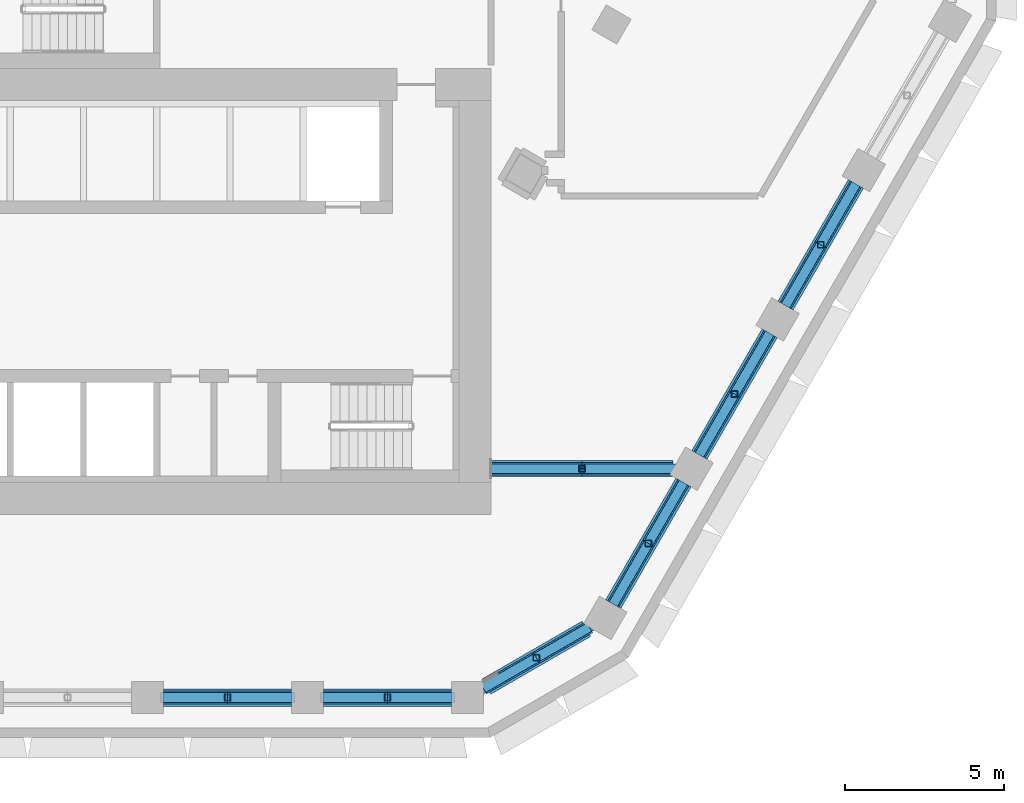
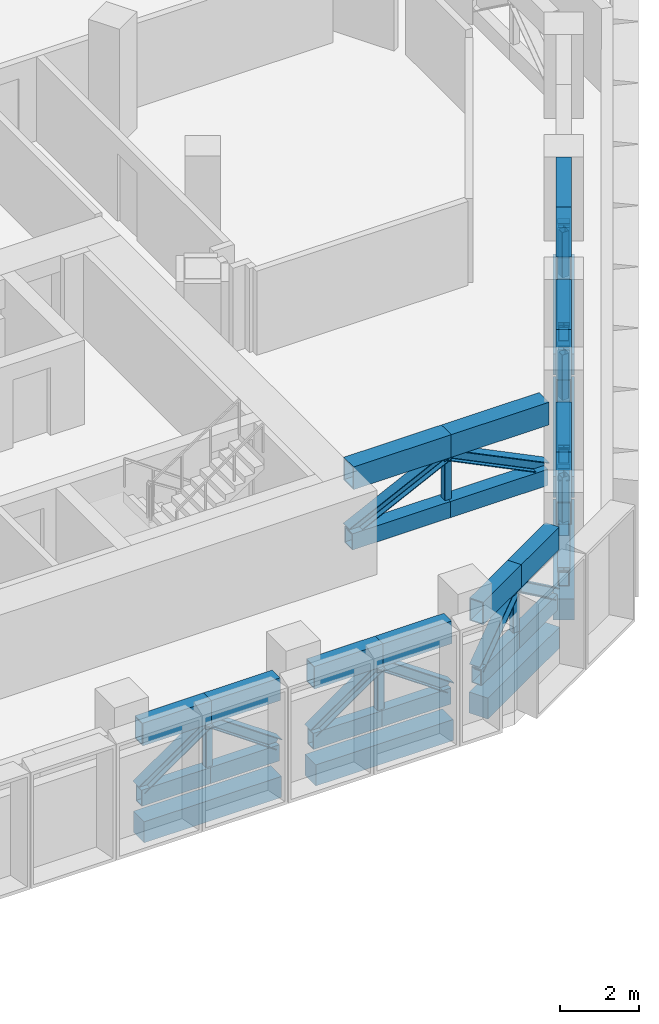
# One storey, part 5 of 23: 49 members, 6 beams.
"""IFC4 building model written with IfcOpenShell, lengths in metres."""

from ifc_helpers import new_model, si_unit, direction, frame, origin, origin_2d, place, context, subcontext, project, spatial, rectangle, hollow_rectangle, i_section, extrude, material, material_profile, profile_set, type_object, element, save


model = new_model("IFC4")

# Units and contexts
model_context = context("Model", 3, precision=1e-05, world=origin(), true_north=direction((0.0, 1.0)))
body_context = subcontext(model_context, "Body", "Model", "MODEL_VIEW")
ifc_project = project(units=[si_unit("LENGTHUNIT", "METRE"), si_unit("AREAUNIT", "SQUARE_METRE"), si_unit("VOLUMEUNIT", "CUBIC_METRE"), si_unit("PLANEANGLEUNIT", "RADIAN"), si_unit("MASSUNIT", "GRAM", prefix="KILO")], contexts=[model_context])

# Site, building, storey
site_placement = place(None, origin())
site = spatial("IfcSite", under=ifc_project, at=site_placement, CompositionType="ELEMENT")
building_placement = place(site_placement, origin())
building = spatial("IfcBuilding", under=site, at=building_placement, Name="Beryl Residences", CompositionType="ELEMENT")
storey_placement = place(building_placement, frame((0.0, 0.0, 108.0)))
storey = spatial("IfcBuildingStorey", under=building, at=storey_placement, Name="L33", CompositionType="ELEMENT", Elevation=108.0)

# Members
ifc_material_1 = material(Name="Steel S355", Category="steel")
ifc_material_profile_1 = material_profile(ifc_material_1, hollow_rectangle(XDim=0.300048828125, YDim=0.5, WallThickness=0.02490234375, at=origin_2d()))
ifc_profile_set_1 = profile_set([ifc_material_profile_1], Name="Steel S355")
member_type_1 = type_object("IfcMemberType", Name="BB2 belt truss bottom chord WB 500x300x25", PredefinedType="CHORD", material=ifc_profile_set_1)
member_1_placement = place(storey_placement, frame((3.011962890625, -24.75, 0.25), z_axis=(1.0, 0.0, 0.0), x_axis=(0.0, 1.0, 0.0)))
element("IfcMember", 1, at=member_1_placement, inside=storey, type_object=member_type_1, Name="Outrigger truss BB2-S-3a L33", PredefinedType="CHORD", context=body_context, shape_type="SweptSolid", body=[
    extrude(hollow_rectangle(XDim=0.300048828125, YDim=0.5, WallThickness=0.02490234375, at=origin_2d()), origin(), (0.0, 0.0, 1.0), 2.011962890625),
])
for number, where, z_axis, x_axis, name in (
    (2, (5.02392578125, -24.75, 0.25), (1.0, 0.0, 0.0), (0.0, 1.0, 0.0), "Outrigger truss BB2-S-3b L33"),
    (3, (8.034912109375, -24.75, 0.25), (1.0, 0.0, 0.0), (0.0, 1.0, 0.0), "Outrigger truss BB2-S-4a L33"),
):
    element("IfcMember", number, at=place(storey_placement, frame(where, z_axis=z_axis, x_axis=x_axis)), inside=storey, type_object=member_type_1, Name=name, PredefinedType="CHORD", context=body_context, shape_type="SweptSolid", body=[
        extrude(hollow_rectangle(XDim=0.300048828125, YDim=0.5, WallThickness=0.02490234375, at=origin_2d()), origin(), (0.0, 0.0, 1.0), 2.010986328125),
    ])
member_2_placement = place(storey_placement, frame((10.0458984375, -24.75, 0.25), z_axis=(1.0, 0.0, 0.0), x_axis=(0.0, 1.0, 0.0)))
element("IfcMember", 4, at=member_2_placement, inside=storey, type_object=member_type_1, Name="Outrigger truss BB2-S-4b L33", PredefinedType="CHORD", context=body_context, shape_type="SweptSolid", body=[
    extrude(hollow_rectangle(XDim=0.300048828125, YDim=0.5, WallThickness=0.02490234375, at=origin_2d()), origin(), (0.0, 0.0, 1.0), 2.01220703125),
])
for number, where, z_axis, x_axis, name in (
    (5, (13.05810546875, -24.4609375, 0.25), (0.866297659914, 0.499528141778, 0.0), (-0.499528141778, 0.866297659914, 0.0), "Outrigger truss BB2-S-5a L33"),
    (6, (14.722900390625, -23.5009765625, 0.25), (0.865982457891, 0.500074377092, 0.0), (-0.500074377092, 0.865982457891, 0.0), "Outrigger truss BB2-S-5b L33"),
):
    element("IfcMember", number, at=place(storey_placement, frame(where, z_axis=z_axis, x_axis=x_axis)), inside=storey, type_object=member_type_1, Name=name, PredefinedType="CHORD", context=body_context, shape_type="SweptSolid", body=[
        extrude(hollow_rectangle(XDim=0.300048828125, YDim=0.5, WallThickness=0.02490234375, at=origin_2d()), origin(), (0.0, 0.0, 1.0), 1.921630859375),
    ])
member_3_placement = place(storey_placement, frame((17.136962890625, -21.818115234375, 0.25), z_axis=(0.500207565094, 0.865905532852, 0.0), x_axis=(-0.865905532852, 0.500207565094, 0.0)))
element("IfcMember", 7, at=member_3_placement, inside=storey, type_object=member_type_1, Name="Outrigger truss BB2-SE-0a L33", PredefinedType="CHORD", context=body_context, shape_type="SweptSolid", body=[
    extrude(hollow_rectangle(XDim=0.300048828125, YDim=0.5, WallThickness=0.02490234375, at=origin_2d()), origin(), (0.0, 0.0, 1.0), 2.20703125),
])
for number, where, z_axis, x_axis, name in (
    (8, (18.240966796875, -19.906982421875, 0.25), (0.49992360228, 0.866069507536, 0.0), (-0.866069507536, 0.49992360228, 0.0), "Outrigger truss BB2-SE-0b L33"),
    (9, (19.843994140625, -17.1298828125, 0.25), (0.49992360228, 0.866069507536, 0.0), (-0.866069507536, 0.49992360228, 0.0), "Outrigger truss BB2-SE-1a L33"),
    (10, (20.947021484375, -15.218994140625, 0.25), (0.49992360228, 0.866069507536, 0.0), (-0.866069507536, 0.49992360228, 0.0), "Outrigger truss BB2-SE-1b L33"),
):
    element("IfcMember", number, at=place(storey_placement, frame(where, z_axis=z_axis, x_axis=x_axis)), inside=storey, type_object=member_type_1, Name=name, PredefinedType="CHORD", context=body_context, shape_type="SweptSolid", body=[
        extrude(hollow_rectangle(XDim=0.300048828125, YDim=0.5, WallThickness=0.02490234375, at=origin_2d()), origin(), (0.0, 0.0, 1.0), 2.206298828125),
    ])
member_4_placement = place(storey_placement, frame((22.550048828125, -12.44189453125, 0.25), z_axis=(0.500255480495, 0.865877851798, 0.0), x_axis=(-0.865877851798, 0.500255480495, 0.0)))
element("IfcMember", 11, at=member_4_placement, inside=storey, type_object=member_type_1, Name="Outrigger truss BB2-SE-2a L33", PredefinedType="CHORD", context=body_context, shape_type="SweptSolid", body=[
    extrude(hollow_rectangle(XDim=0.300048828125, YDim=0.5, WallThickness=0.02490234375, at=origin_2d()), origin(), (0.0, 0.0, 1.0), 2.206787109375),
])
member_5_placement = place(storey_placement, frame((23.654052734375, -10.531005859375, 0.25), z_axis=(0.49992360228, 0.866069507536, 0.0), x_axis=(-0.866069507536, 0.49992360228, 0.0)))
element("IfcMember", 12, at=member_5_placement, inside=storey, type_object=member_type_1, Name="Outrigger truss BB2-SE-2b L33", PredefinedType="CHORD", context=body_context, shape_type="SweptSolid", body=[
    extrude(hollow_rectangle(XDim=0.300048828125, YDim=0.5, WallThickness=0.02490234375, at=origin_2d()), origin(), (0.0, 0.0, 1.0), 2.206298828125),
])
ifc_material_2 = material(Name="Steel S355", Category="steel")
ifc_material_profile_2 = material_profile(ifc_material_2, i_section(OverallWidth=0.30908203125, OverallDepth=0.320068359375, WebThickness=0.013916015625, FlangeThickness=0.021728515625, FilletRadius=0.0166015625, at=origin_2d()))
ifc_profile_set_2 = profile_set([ifc_material_profile_2], Name="Steel S355")
member_type_2 = type_object("IfcMemberType", Name="BD2 belt truss diagonal 310UC137", PredefinedType="BRACE", material=ifc_profile_set_2)
member_6_placement = place(storey_placement, frame((3.011962890625, -24.75, 0.5), z_axis=(0.820852413484, 0.0, 0.571140363902), x_axis=(0.0, 1.0, 0.0)))
element("IfcMember", 13, at=member_6_placement, inside=storey, type_object=member_type_2, Name="Outrigger truss BD2-S-3a L33", PredefinedType="BRACE", context=body_context, shape_type="SweptSolid", body=[
    extrude(i_section(OverallWidth=0.30908203125, OverallDepth=0.320068359375, WebThickness=0.013916015625, FlangeThickness=0.021728515625, FilletRadius=0.0166015625, at=origin_2d()), origin(), (0.0, 0.0, 1.0), 2.451171875),
])
for number, where, z_axis, x_axis, name in (
    (14, (7.034912109375, -24.75, 0.5), (-0.820722383369, 0.0, 0.57132719998), (0.0, -1.0, 0.0), "Outrigger truss BD2-S-3b L33"),
    (15, (8.034912109375, -24.75, 0.5), (0.820722383369, 0.0, 0.57132719998), (0.0, 1.0, 0.0), "Outrigger truss BD2-S-4a L33"),
):
    element("IfcMember", number, at=place(storey_placement, frame(where, z_axis=z_axis, x_axis=x_axis)), inside=storey, type_object=member_type_2, Name=name, PredefinedType="BRACE", context=body_context, shape_type="SweptSolid", body=[
        extrude(i_section(OverallWidth=0.30908203125, OverallDepth=0.320068359375, WebThickness=0.013916015625, FlangeThickness=0.021728515625, FilletRadius=0.0166015625, at=origin_2d()), origin(), (0.0, 0.0, 1.0), 2.4501953125),
    ])
member_7_placement = place(storey_placement, frame((12.05810546875, -24.75, 0.5), z_axis=(-0.820884901082, 0.0, 0.571093669353), x_axis=(0.0, -1.0, 0.0)))
element("IfcMember", 16, at=member_7_placement, inside=storey, type_object=member_type_2, Name="Outrigger truss BD2-S-4b L33", PredefinedType="BRACE", context=body_context, shape_type="SweptSolid", body=[
    extrude(i_section(OverallWidth=0.30908203125, OverallDepth=0.320068359375, WebThickness=0.013916015625, FlangeThickness=0.021728515625, FilletRadius=0.0166015625, at=origin_2d()), origin(), (0.0, 0.0, 1.0), 2.451171875),
])
for number, where, z_axis, x_axis, name in (
    (17, (13.05810546875, -24.4609375, 0.5), (0.700211395298, 0.403758792537, 0.588797791558), (-0.499528141778, 0.866297659914, 0.0), "Outrigger truss BD2-S-5a L33"),
    (18, (16.386962890625, -22.5400390625, 0.5), (-0.699938149511, -0.404189635633, 0.588827075894), (0.500074377092, -0.865982457891, 0.0), "Outrigger truss BD2-S-5b L33"),
):
    element("IfcMember", number, at=place(storey_placement, frame(where, z_axis=z_axis, x_axis=x_axis)), inside=storey, type_object=member_type_2, Name=name, PredefinedType="BRACE", context=body_context, shape_type="SweptSolid", body=[
        extrude(i_section(OverallWidth=0.30908203125, OverallDepth=0.320068359375, WebThickness=0.013916015625, FlangeThickness=0.021728515625, FilletRadius=0.0166015625, at=origin_2d()), origin(), (0.0, 0.0, 1.0), 2.37744140625),
    ])
member_8_placement = place(storey_placement, frame((17.136962890625, -21.818115234375, 0.5), z_axis=(0.422405056846, 0.731222199246, 0.535619326837), x_axis=(-0.865905532852, 0.500207565094, 0.0)))
element("IfcMember", 19, at=member_8_placement, inside=storey, type_object=member_type_2, Name="Outrigger truss BD2-SE-0a L33", PredefinedType="BRACE", context=body_context, shape_type="SweptSolid", body=[
    extrude(i_section(OverallWidth=0.30908203125, OverallDepth=0.320068359375, WebThickness=0.013916015625, FlangeThickness=0.021728515625, FilletRadius=0.0166015625, at=origin_2d()), origin(), (0.0, 0.0, 1.0), 2.613525390625),
])
for number, where, z_axis, x_axis, name in (
    (20, (19.343994140625, -17.99609375, 0.5), (-0.422126848929, -0.731294122747, 0.535740449704), (0.866069507536, -0.49992360228, 0.0), "Outrigger truss BD2-SE-0b L33"),
    (21, (19.843994140625, -17.1298828125, 0.5), (0.422126848929, 0.731294122747, 0.535740449704), (-0.866069507536, 0.49992360228, 0.0), "Outrigger truss BD2-SE-1a L33"),
    (22, (22.050048828125, -13.30810546875, 0.5), (-0.422126848929, -0.731294122747, 0.535740449704), (0.866069507536, -0.49992360228, 0.0), "Outrigger truss BD2-SE-1b L33"),
):
    element("IfcMember", number, at=place(storey_placement, frame(where, z_axis=z_axis, x_axis=x_axis)), inside=storey, type_object=member_type_2, Name=name, PredefinedType="BRACE", context=body_context, shape_type="SweptSolid", body=[
        extrude(i_section(OverallWidth=0.30908203125, OverallDepth=0.320068359375, WebThickness=0.013916015625, FlangeThickness=0.021728515625, FilletRadius=0.0166015625, at=origin_2d()), origin(), (0.0, 0.0, 1.0), 2.613037109375),
    ])
member_9_placement = place(storey_placement, frame((22.550048828125, -12.44189453125, 0.5), z_axis=(0.422433910032, 0.731178729284, 0.535655913341), x_axis=(-0.865877851798, 0.500255480495, 0.0)))
element("IfcMember", 23, at=member_9_placement, inside=storey, type_object=member_type_2, Name="Outrigger truss BD2-SE-2a L33", PredefinedType="BRACE", context=body_context, shape_type="SweptSolid", body=[
    extrude(i_section(OverallWidth=0.30908203125, OverallDepth=0.320068359375, WebThickness=0.013916015625, FlangeThickness=0.021728515625, FilletRadius=0.0166015625, at=origin_2d()), origin(), (0.0, 0.0, 1.0), 2.613525390625),
])
member_10_placement = place(storey_placement, frame((24.757080078125, -8.6201171875, 0.5), z_axis=(-0.422126848929, -0.731294122747, 0.535740449704), x_axis=(0.866069507536, -0.49992360228, 0.0)))
element("IfcMember", 24, at=member_10_placement, inside=storey, type_object=member_type_2, Name="Outrigger truss BD2-SE-2b L33", PredefinedType="BRACE", context=body_context, shape_type="SweptSolid", body=[
    extrude(i_section(OverallWidth=0.30908203125, OverallDepth=0.320068359375, WebThickness=0.013916015625, FlangeThickness=0.021728515625, FilletRadius=0.0166015625, at=origin_2d()), origin(), (0.0, 0.0, 1.0), 2.613037109375),
])
member_11_placement = place(storey_placement, frame((19.01708984375, -17.56298828125, 0.5), z_axis=(-0.898123289399, 0.0, 0.439743740194), x_axis=(0.0, -1.0, 0.0)))
element("IfcMember", 25, at=member_11_placement, inside=storey, type_object=member_type_2, Name="Outrigger truss BD2-OR-SE-1a L33", PredefinedType="BRACE", context=body_context, shape_type="SweptSolid", body=[
    extrude(i_section(OverallWidth=0.30908203125, OverallDepth=0.320068359375, WebThickness=0.013916015625, FlangeThickness=0.021728515625, FilletRadius=0.0166015625, at=origin_2d()), origin(), (0.0, 0.0, 1.0), 3.183349609375),
])
member_12_placement = place(storey_placement, frame((13.300048828125, -17.56298828125, 0.5), z_axis=(0.898049101051, 0.0, 0.439895228551), x_axis=(0.0, 1.0, 0.0)))
element("IfcMember", 26, at=member_12_placement, inside=storey, type_object=member_type_2, Name="Outrigger truss BD2-OR-SE-1b L33", PredefinedType="BRACE", context=body_context, shape_type="SweptSolid", body=[
    extrude(i_section(OverallWidth=0.30908203125, OverallDepth=0.320068359375, WebThickness=0.013916015625, FlangeThickness=0.021728515625, FilletRadius=0.0166015625, at=origin_2d()), origin(), (0.0, 0.0, 1.0), 3.182373046875),
])
ifc_material_3 = material(Name="Steel S355", Category="steel")
ifc_material_profile_3 = material_profile(ifc_material_3, hollow_rectangle(XDim=0.199951171875, YDim=0.199951171875, WallThickness=0.009033203125, InnerFilletRadius=0.009033203125, OuterFilletRadius=0.01806640625, at=origin_2d()))
ifc_profile_set_3 = profile_set([ifc_material_profile_3], Name="Steel S355")
member_type_3 = type_object("IfcMemberType", Name="BQ2 belt truss post SHS 200x200x9", PredefinedType="POST", material=ifc_profile_set_3)
for number, where, z_axis, x_axis, name in (
    (27, (5.02392578125, -24.75, 0.5), (0.0, 0.0, 1.0), (1.0, 0.0, 0.0), "Outrigger truss BQ2-S-3 L33"),
    (28, (10.0458984375, -24.75, 0.5), (0.0, 0.0, 1.0), (1.0, 0.0, 0.0), "Outrigger truss BQ2-S-4 L33"),
    (29, (14.722900390625, -23.5009765625, 0.5), (0.0, 0.0, 1.0), (1.0, 0.0, 0.0), "Outrigger truss BQ2-S-5 L33"),
    (30, (18.240966796875, -19.906982421875, 0.5), (0.0, 0.0, 1.0), (1.0, 0.0, 0.0), "Outrigger truss BQ2-SE-0 L33"),
    (31, (20.947021484375, -15.218994140625, 0.5), (0.0, 0.0, 1.0), (1.0, 0.0, 0.0), "Outrigger truss BQ2-SE-1 L33"),
    (32, (23.654052734375, -10.531005859375, 0.5), (0.0, 0.0, 1.0), (1.0, 0.0, 0.0), "Outrigger truss BQ2-SE-2 L33"),
    (33, (16.157958984375, -17.56298828125, 0.5), (0.0, 0.0, 1.0), (1.0, 0.0, 0.0), "Outrigger truss BQ2-OR-SE-1 L33"),
):
    element("IfcMember", number, at=place(storey_placement, frame(where, z_axis=z_axis, x_axis=x_axis)), inside=storey, type_object=member_type_3, Name=name, PredefinedType="POST", context=body_context, shape_type="SweptSolid", body=[
        extrude(hollow_rectangle(XDim=0.199951171875, YDim=0.199951171875, WallThickness=0.009033203125, InnerFilletRadius=0.009033203125, OuterFilletRadius=0.01806640625, at=origin_2d()), origin(), (0.0, 0.0, 1.0), 1.39990234375),
    ])
ifc_material_4 = material(Name="Steel S355", Category="steel")
ifc_material_profile_4 = material_profile(ifc_material_4, hollow_rectangle(XDim=0.39990234375, YDim=0.699951171875, WallThickness=0.030029296875, at=origin_2d()))
ifc_profile_set_4 = profile_set([ifc_material_profile_4], Name="Steel S355")
member_type_4 = type_object("IfcMemberType", Name="BT2 belt truss top chord WB 700x400x30", PredefinedType="CHORD", material=ifc_profile_set_4)
member_13_placement = place(storey_placement, frame((3.011962890625, -24.75, 2.25), z_axis=(1.0, 0.0, 0.0), x_axis=(0.0, 1.0, 0.0)))
element("IfcMember", 34, at=member_13_placement, inside=storey, type_object=member_type_4, Name="Outrigger truss BT2-S-3a L33", PredefinedType="CHORD", context=body_context, shape_type="SweptSolid", body=[
    extrude(hollow_rectangle(XDim=0.39990234375, YDim=0.699951171875, WallThickness=0.030029296875, at=origin_2d()), origin(), (0.0, 0.0, 1.0), 2.011962890625),
])
for number, where, z_axis, x_axis, name in (
    (35, (5.02392578125, -24.75, 2.25), (1.0, 0.0, 0.0), (0.0, 1.0, 0.0), "Outrigger truss BT2-S-3b L33"),
    (36, (8.034912109375, -24.75, 2.25), (1.0, 0.0, 0.0), (0.0, 1.0, 0.0), "Outrigger truss BT2-S-4a L33"),
):
    element("IfcMember", number, at=place(storey_placement, frame(where, z_axis=z_axis, x_axis=x_axis)), inside=storey, type_object=member_type_4, Name=name, PredefinedType="CHORD", context=body_context, shape_type="SweptSolid", body=[
        extrude(hollow_rectangle(XDim=0.39990234375, YDim=0.699951171875, WallThickness=0.030029296875, at=origin_2d()), origin(), (0.0, 0.0, 1.0), 2.010986328125),
    ])
member_14_placement = place(storey_placement, frame((10.0458984375, -24.75, 2.25), z_axis=(1.0, 0.0, 0.0), x_axis=(0.0, 1.0, 0.0)))
element("IfcMember", 37, at=member_14_placement, inside=storey, type_object=member_type_4, Name="Outrigger truss BT2-S-4b L33", PredefinedType="CHORD", context=body_context, shape_type="SweptSolid", body=[
    extrude(hollow_rectangle(XDim=0.39990234375, YDim=0.699951171875, WallThickness=0.030029296875, at=origin_2d()), origin(), (0.0, 0.0, 1.0), 2.01220703125),
])
for number, where, z_axis, x_axis, name in (
    (38, (13.05810546875, -24.4609375, 2.25), (0.866297659914, 0.499528141778, 0.0), (-0.499528141778, 0.866297659914, 0.0), "Outrigger truss BT2-S-5a L33"),
    (39, (14.722900390625, -23.5009765625, 2.25), (0.865982457891, 0.500074377092, 0.0), (-0.500074377092, 0.865982457891, 0.0), "Outrigger truss BT2-S-5b L33"),
):
    element("IfcMember", number, at=place(storey_placement, frame(where, z_axis=z_axis, x_axis=x_axis)), inside=storey, type_object=member_type_4, Name=name, PredefinedType="CHORD", context=body_context, shape_type="SweptSolid", body=[
        extrude(hollow_rectangle(XDim=0.39990234375, YDim=0.699951171875, WallThickness=0.030029296875, at=origin_2d()), origin(), (0.0, 0.0, 1.0), 1.921630859375),
    ])
member_15_placement = place(storey_placement, frame((17.136962890625, -21.818115234375, 2.25), z_axis=(0.500207565094, 0.865905532852, 0.0), x_axis=(-0.865905532852, 0.500207565094, 0.0)))
element("IfcMember", 40, at=member_15_placement, inside=storey, type_object=member_type_4, Name="Outrigger truss BT2-SE-0a L33", PredefinedType="CHORD", context=body_context, shape_type="SweptSolid", body=[
    extrude(hollow_rectangle(XDim=0.39990234375, YDim=0.699951171875, WallThickness=0.030029296875, at=origin_2d()), origin(), (0.0, 0.0, 1.0), 2.20703125),
])
for number, where, z_axis, x_axis, name in (
    (41, (18.240966796875, -19.906982421875, 2.25), (0.49992360228, 0.866069507536, 0.0), (-0.866069507536, 0.49992360228, 0.0), "Outrigger truss BT2-SE-0b L33"),
    (42, (19.843994140625, -17.1298828125, 2.25), (0.49992360228, 0.866069507536, 0.0), (-0.866069507536, 0.49992360228, 0.0), "Outrigger truss BT2-SE-1a L33"),
    (43, (20.947021484375, -15.218994140625, 2.25), (0.49992360228, 0.866069507536, 0.0), (-0.866069507536, 0.49992360228, 0.0), "Outrigger truss BT2-SE-1b L33"),
):
    element("IfcMember", number, at=place(storey_placement, frame(where, z_axis=z_axis, x_axis=x_axis)), inside=storey, type_object=member_type_4, Name=name, PredefinedType="CHORD", context=body_context, shape_type="SweptSolid", body=[
        extrude(hollow_rectangle(XDim=0.39990234375, YDim=0.699951171875, WallThickness=0.030029296875, at=origin_2d()), origin(), (0.0, 0.0, 1.0), 2.206298828125),
    ])
member_16_placement = place(storey_placement, frame((22.550048828125, -12.44189453125, 2.25), z_axis=(0.500255480495, 0.865877851798, 0.0), x_axis=(-0.865877851798, 0.500255480495, 0.0)))
element("IfcMember", 44, at=member_16_placement, inside=storey, type_object=member_type_4, Name="Outrigger truss BT2-SE-2a L33", PredefinedType="CHORD", context=body_context, shape_type="SweptSolid", body=[
    extrude(hollow_rectangle(XDim=0.39990234375, YDim=0.699951171875, WallThickness=0.030029296875, at=origin_2d()), origin(), (0.0, 0.0, 1.0), 2.206787109375),
])
member_17_placement = place(storey_placement, frame((23.654052734375, -10.531005859375, 2.25), z_axis=(0.49992360228, 0.866069507536, 0.0), x_axis=(-0.866069507536, 0.49992360228, 0.0)))
element("IfcMember", 45, at=member_17_placement, inside=storey, type_object=member_type_4, Name="Outrigger truss BT2-SE-2b L33", PredefinedType="CHORD", context=body_context, shape_type="SweptSolid", body=[
    extrude(hollow_rectangle(XDim=0.39990234375, YDim=0.699951171875, WallThickness=0.030029296875, at=origin_2d()), origin(), (0.0, 0.0, 1.0), 2.206298828125),
])
ifc_material_5 = material(Name="Steel S355", Category="steel")
ifc_material_profile_5 = material_profile(ifc_material_5, hollow_rectangle(XDim=0.39990234375, YDim=0.5, WallThickness=0.030029296875, at=origin_2d()))
ifc_profile_set_5 = profile_set([ifc_material_profile_5], Name="Steel S355")
member_type_5 = type_object("IfcMemberType", Name="OB1 outrigger truss bottom chord WB 500x400x30", PredefinedType="CHORD", material=ifc_profile_set_5)
member_18_placement = place(storey_placement, frame((19.01708984375, -17.56298828125, 0.25), z_axis=(-1.0, 0.0, 0.0), x_axis=(0.0, -1.0, 0.0)))
element("IfcMember", 46, at=member_18_placement, inside=storey, type_object=member_type_5, Name="Outrigger truss OB1-OR-SE-1a L33", PredefinedType="CHORD", context=body_context, shape_type="SweptSolid", body=[
    extrude(hollow_rectangle(XDim=0.39990234375, YDim=0.5, WallThickness=0.030029296875, at=origin_2d()), origin(), (0.0, 0.0, 1.0), 2.859130859375),
])
member_19_placement = place(storey_placement, frame((16.157958984375, -17.56298828125, 0.25), z_axis=(-1.0, 0.0, 0.0), x_axis=(0.0, -1.0, 0.0)))
element("IfcMember", 47, at=member_19_placement, inside=storey, type_object=member_type_5, Name="Outrigger truss OB1-OR-SE-1b L33", PredefinedType="CHORD", context=body_context, shape_type="SweptSolid", body=[
    extrude(hollow_rectangle(XDim=0.39990234375, YDim=0.5, WallThickness=0.030029296875, at=origin_2d()), origin(), (0.0, 0.0, 1.0), 2.85791015625),
])
ifc_material_6 = material(Name="Steel S355", Category="steel")
ifc_material_profile_6 = material_profile(ifc_material_6, hollow_rectangle(XDim=0.5, YDim=0.699951171875, WallThickness=0.0400390625, at=origin_2d()))
ifc_profile_set_6 = profile_set([ifc_material_profile_6], Name="Steel S355")
member_type_6 = type_object("IfcMemberType", Name="OT1 outrigger truss top chord WB 700x500x40", PredefinedType="CHORD", material=ifc_profile_set_6)
member_20_placement = place(storey_placement, frame((19.01708984375, -17.56298828125, 2.25), z_axis=(-1.0, 0.0, 0.0), x_axis=(0.0, -1.0, 0.0)))
element("IfcMember", 48, at=member_20_placement, inside=storey, type_object=member_type_6, Name="Outrigger truss OT1-OR-SE-1a L33", PredefinedType="CHORD", context=body_context, shape_type="SweptSolid", body=[
    extrude(hollow_rectangle(XDim=0.5, YDim=0.699951171875, WallThickness=0.0400390625, at=origin_2d()), origin(), (0.0, 0.0, 1.0), 2.859130859375),
])
member_21_placement = place(storey_placement, frame((16.157958984375, -17.56298828125, 2.25), z_axis=(-1.0, 0.0, 0.0), x_axis=(0.0, -1.0, 0.0)))
element("IfcMember", 49, at=member_21_placement, inside=storey, type_object=member_type_6, Name="Outrigger truss OT1-OR-SE-1b L33", PredefinedType="CHORD", context=body_context, shape_type="SweptSolid", body=[
    extrude(hollow_rectangle(XDim=0.5, YDim=0.699951171875, WallThickness=0.0400390625, at=origin_2d()), origin(), (0.0, 0.0, 1.0), 2.85791015625),
])

# Beams
ifc_material_7 = material(Name="Concrete C70/85", Category="concrete")
ifc_material_profile_7 = material_profile(ifc_material_7, rectangle(XDim=0.550048828125, YDim=0.64990234375, at=origin_2d()))
ifc_profile_set_7 = profile_set([ifc_material_profile_7], Name="Concrete C70/85")
beam_type = type_object("IfcBeamType", Name="SB2 spandrel beam 550 x 650 C70/85", PredefinedType="SPANDREL", material=ifc_profile_set_7)
beam_1_placement = place(storey_placement, frame((3.011962890625, -24.75, -0.72509765625), z_axis=(1.0, 0.0, 0.0), x_axis=(0.0, 1.0, 0.0)))
element("IfcBeam", 50, at=beam_1_placement, inside=storey, type_object=beam_type, Name="SB2 L33 S-3", PredefinedType="SPANDREL", context=body_context, shape_type="SweptSolid", body=[
    extrude(rectangle(XDim=0.550048828125, YDim=0.64990234375, at=origin_2d()), origin(), (0.0, 0.0, 1.0), 4.02294921875),
])
beam_2_placement = place(storey_placement, frame((8.034912109375, -24.75, -0.72509765625), z_axis=(1.0, 0.0, 0.0), x_axis=(0.0, 1.0, 0.0)))
element("IfcBeam", 51, at=beam_2_placement, inside=storey, type_object=beam_type, Name="SB2 L33 S-4", PredefinedType="SPANDREL", context=body_context, shape_type="SweptSolid", body=[
    extrude(rectangle(XDim=0.550048828125, YDim=0.64990234375, at=origin_2d()), origin(), (0.0, 0.0, 1.0), 4.023193359375),
])
beam_3_placement = place(storey_placement, frame((13.14892578125, -24.408935546875, -0.72509765625), z_axis=(0.866026712061, 0.499997733992, 0.0), x_axis=(-0.499997733992, 0.866026712061, 0.0)))
element("IfcBeam", 52, at=beam_3_placement, inside=storey, type_object=beam_type, Name="SB2 L33 S-5", PredefinedType="SPANDREL", context=body_context, shape_type="SweptSolid", body=[
    extrude(rectangle(XDim=0.550048828125, YDim=0.64990234375, at=origin_2d()), origin(), (0.0, 0.0, 1.0), 3.6337890625),
])
beam_4_placement = place(storey_placement, frame((17.136962890625, -21.818115234375, -0.72509765625), z_axis=(0.50006561292, 0.865987518834, 0.0), x_axis=(-0.865987518834, 0.50006561292, 0.0)))
element("IfcBeam", 53, at=beam_4_placement, inside=storey, type_object=beam_type, Name="SB2 L33 SE-0", PredefinedType="SPANDREL", context=body_context, shape_type="SweptSolid", body=[
    extrude(rectangle(XDim=0.550048828125, YDim=0.64990234375, at=origin_2d()), origin(), (0.0, 0.0, 1.0), 4.41357421875),
])
beam_5_placement = place(storey_placement, frame((19.843994140625, -17.1298828125, -0.72509765625), z_axis=(0.49992360228, 0.866069507536, 0.0), x_axis=(-0.866069507536, 0.49992360228, 0.0)))
element("IfcBeam", 54, at=beam_5_placement, inside=storey, type_object=beam_type, Name="SB2 L33 SE-1", PredefinedType="SPANDREL", context=body_context, shape_type="SweptSolid", body=[
    extrude(rectangle(XDim=0.550048828125, YDim=0.64990234375, at=origin_2d()), origin(), (0.0, 0.0, 1.0), 4.412841796875),
])
beam_6_placement = place(storey_placement, frame((22.550048828125, -12.44189453125, -0.72509765625), z_axis=(0.500089568931, 0.865973684962, 0.0), x_axis=(-0.865973684962, 0.500089568931, 0.0)))
element("IfcBeam", 55, at=beam_6_placement, inside=storey, type_object=beam_type, Name="SB2 L33 SE-2", PredefinedType="SPANDREL", context=body_context, shape_type="SweptSolid", body=[
    extrude(rectangle(XDim=0.550048828125, YDim=0.64990234375, at=origin_2d()), origin(), (0.0, 0.0, 1.0), 4.413330078125),
])

save(model, "model.ifc")
